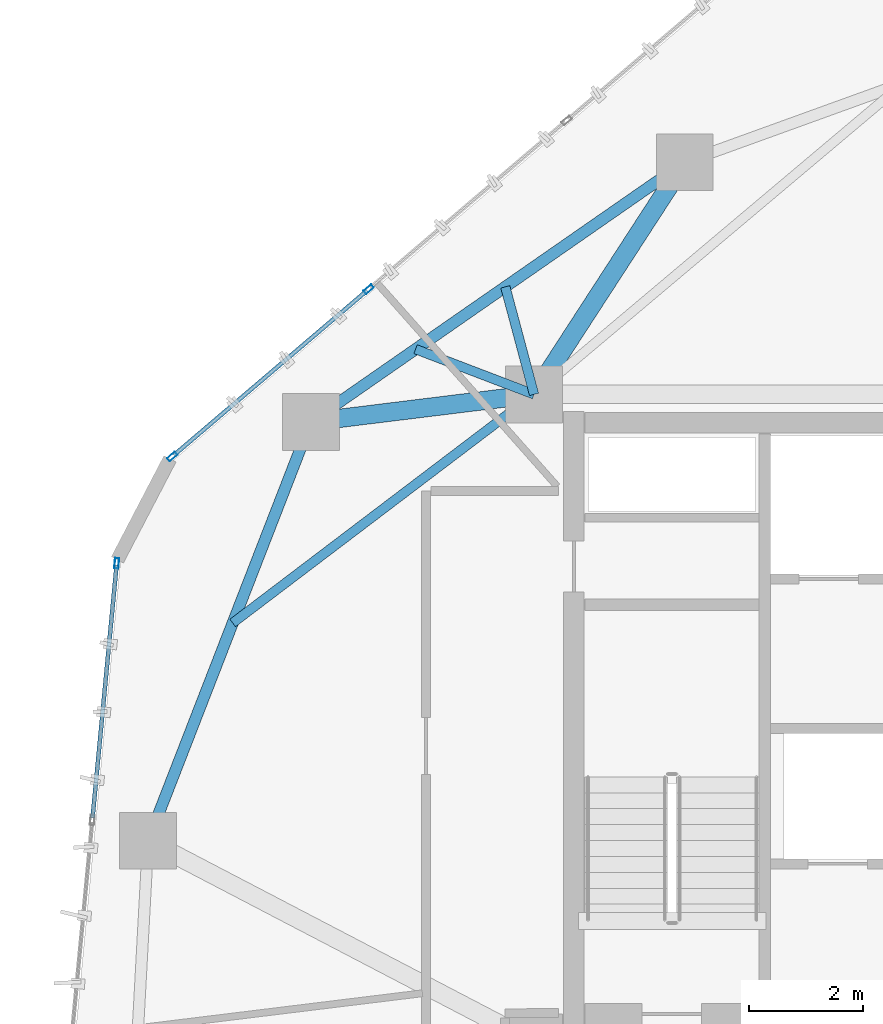
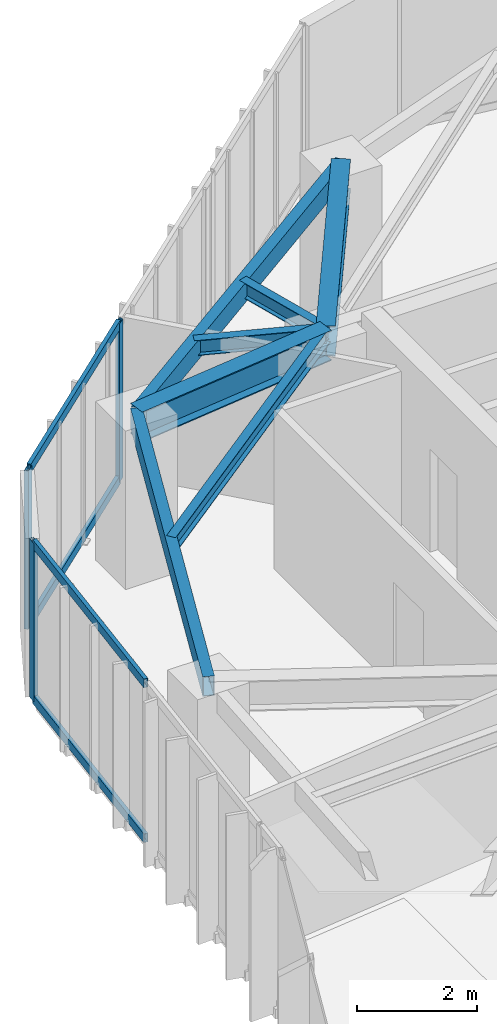
# One storey, part 8 of 20: 7 beams, 7 members, 2 elements without a shape of their own.
"""IFC4 building model written with IfcOpenShell, lengths in metres."""

from ifc_helpers import new_model, si_unit, direction, frame, origin, origin_2d, place, context, subcontext, project, spatial, hollow_rectangle, i_section, extrude, source, transform, mapped, material, layer, layer_set, material_profile, profile_set, type_object, type_shapes, element, aggregate, save


model = new_model("IFC4")

# Units and contexts
model_context = context("Model", 3, precision=1e-05, world=origin(), true_north=direction((0.0, 1.0)))
body_context = subcontext(model_context, "Body", "Model", "MODEL_VIEW")
ifc_project = project(units=[si_unit("LENGTHUNIT", "METRE"), si_unit("AREAUNIT", "SQUARE_METRE"), si_unit("VOLUMEUNIT", "CUBIC_METRE"), si_unit("PLANEANGLEUNIT", "RADIAN"), si_unit("MASSUNIT", "GRAM", prefix="KILO")], contexts=[model_context])

# Site, building, storey
site_placement = place(None, origin())
site = spatial("IfcSite", under=ifc_project, at=site_placement, CompositionType="ELEMENT")
building_placement = place(site_placement, origin())
building = spatial("IfcBuilding", under=site, at=building_placement, Name="Talar Marvaseh", CompositionType="ELEMENT")
storey_placement = place(building_placement, frame((0.0, 0.0, 211.699951171875)))
storey = spatial("IfcBuildingStorey", under=building, at=storey_placement, Name="L55", CompositionType="ELEMENT", Elevation=211.699951171875)

# Beams
ifc_material_1 = material(Name="Steel S355", Category="steel")
ifc_material_profile_1 = material_profile(ifc_material_1, hollow_rectangle(XDim=0.199951171875, YDim=0.39990234375, WallThickness=0.013916015625, at=origin_2d()), Name="RHS400x200x14")
ifc_profile_set_1 = profile_set([ifc_material_profile_1], Name="Steel S355")
beam_type_1 = type_object("IfcBeamType", Name="Zone 3 Perimeter Spandrel Beam RHS400x200x14", PredefinedType="SPANDREL", material=ifc_profile_set_1)
beam_1_placement = place(storey_placement, frame((11.908935546875, 29.044921875, 3.030029296875), z_axis=(0.362169134611, 0.932112395548, 0.0), x_axis=(-0.932112395548, 0.362169134611, 0.0)))
element("IfcBeam", 1, at=beam_1_placement, inside=storey, type_object=beam_type_1, Name="L55 Zone 3 Perimeter Spandrel Beam RHS400x200x14", PredefinedType="SPANDREL", context=body_context, shape_type="SweptSolid", body=[
    extrude(hollow_rectangle(XDim=0.199951171875, YDim=0.39990234375, WallThickness=0.013916015625, at=origin_2d()), origin(), (0.0, 0.0, 1.0), 7.907958984375),
])
beam_2_placement = place(storey_placement, frame((14.77294921875, 36.416015625, 3.030029296875), z_axis=(0.821296978901, 0.570500896098, 0.0), x_axis=(-0.570500896098, 0.821296978901, 0.0)))
element("IfcBeam", 2, at=beam_2_placement, inside=storey, type_object=beam_type_1, Name="L55 Zone 3 Perimeter Spandrel Beam RHS400x200x14", PredefinedType="SPANDREL", context=body_context, shape_type="SweptSolid", body=[
    extrude(hollow_rectangle(XDim=0.199951171875, YDim=0.39990234375, WallThickness=0.013916015625, at=origin_2d()), origin(), (0.0, 0.0, 1.0), 8.0107421875),
])
ifc_material_profile_2 = material_profile(ifc_material_1, i_section(OverallWidth=0.324951171875, OverallDepth=0.615966796875, WebThickness=0.013916015625, FlangeThickness=0.021484375, at=origin_2d()), Name="W610x174")
ifc_profile_set_2 = profile_set([ifc_material_profile_2], Name="Steel S355")
beam_type_2 = type_object("IfcBeamType", Name="Zone 3 Radial Floor Girder W610x174", PredefinedType="BEAM", material=ifc_profile_set_2)
beam_3_placement = place(storey_placement, frame((14.77294921875, 36.416015625, 2.922119140625), z_axis=(0.99249373738, 0.122295467049, 0.0), x_axis=(-0.122295467049, 0.99249373738, 0.0)))
element("IfcBeam", 3, at=beam_3_placement, inside=storey, type_object=beam_type_2, Name="L55 Zone 3 Radial Floor Girder W610x174", PredefinedType="BEAM", context=body_context, shape_type="SweptSolid", body=[
    extrude(i_section(OverallWidth=0.324951171875, OverallDepth=0.615966796875, WebThickness=0.013916015625, FlangeThickness=0.021484375, at=origin_2d()), origin(), (0.0, 0.0, 1.0), 3.956787109375),
])
beam_4_placement = place(storey_placement, frame((21.35205078125, 40.986083984375, 2.922119140625), z_axis=(-0.544422757063, -0.838810980849, 0.0), x_axis=(0.838810980849, -0.544422757063, 0.0)))
element("IfcBeam", 4, at=beam_4_placement, inside=storey, type_object=beam_type_2, Name="L55 Zone 3 Radial Floor Girder W610x174", PredefinedType="BEAM", context=body_context, shape_type="SweptSolid", body=[
    extrude(i_section(OverallWidth=0.324951171875, OverallDepth=0.615966796875, WebThickness=0.013916015625, FlangeThickness=0.021484375, at=origin_2d()), origin(), (0.0, 0.0, 1.0), 4.871337890625),
])
ifc_material_profile_3 = material_profile(ifc_material_1, i_section(OverallWidth=0.166015625, OverallDepth=0.31298828125, WebThickness=0.006591796875, FlangeThickness=0.01123046875, at=origin_2d()), Name="W310x45")
ifc_profile_set_3 = profile_set([ifc_material_profile_3], Name="Steel S355")
beam_type_3 = type_object("IfcBeamType", Name="Zone 3 Secondary Floor Joist W310x45", PredefinedType="JOIST", material=ifc_profile_set_3)
beam_5_placement = place(storey_placement, frame((13.398193359375, 32.8779296875, 3.073486328125), z_axis=(0.796694925744, 0.604381663598, 0.0), x_axis=(-0.604381663598, 0.796694925744, 0.0)))
element("IfcBeam", 5, at=beam_5_placement, inside=storey, type_object=beam_type_3, Name="L55 Zone 3 Secondary Floor Joist W310x45", PredefinedType="JOIST", context=body_context, shape_type="SweptSolid", body=[
    extrude(i_section(OverallWidth=0.166015625, OverallDepth=0.31298828125, WebThickness=0.006591796875, FlangeThickness=0.01123046875, at=origin_2d()), origin(), (0.0, 0.0, 1.0), 6.65478515625),
])
beam_6_placement = place(storey_placement, frame((16.614990234375, 37.695556640625, 3.073486328125), z_axis=(0.934281341688, -0.356536638473, 0.0), x_axis=(0.356536638473, 0.934281341688, 0.0)))
element("IfcBeam", 6, at=beam_6_placement, inside=storey, type_object=beam_type_3, Name="L55 Zone 3 Secondary Floor Joist W310x45", PredefinedType="JOIST", context=body_context, shape_type="SweptSolid", body=[
    extrude(i_section(OverallWidth=0.166015625, OverallDepth=0.31298828125, WebThickness=0.006591796875, FlangeThickness=0.01123046875, at=origin_2d()), origin(), (0.0, 0.0, 1.0), 2.231689453125),
])
beam_7_placement = place(storey_placement, frame((18.194091796875, 38.79248046875, 3.073486328125), z_axis=(0.258221088864, -0.966085849842, 0.0), x_axis=(0.966085849842, 0.258221088864, 0.0)))
element("IfcBeam", 7, at=beam_7_placement, inside=storey, type_object=beam_type_3, Name="L55 Zone 3 Secondary Floor Joist W310x45", PredefinedType="JOIST", context=body_context, shape_type="SweptSolid", body=[
    extrude(i_section(OverallWidth=0.166015625, OverallDepth=0.31298828125, WebThickness=0.006591796875, FlangeThickness=0.01123046875, at=origin_2d()), origin(), (0.0, 0.0, 1.0), 1.958984375),
])

# Curtain wall, member
ifc_material_2 = material(Name="Architectural Aluminium", Category="aluminium")
ifc_layer = layer(ifc_material_2, 0.18994140625)
ifc_layer_set = layer_set([ifc_layer], Name="Architectural Aluminium")
curtain_wall_type = type_object("IfcCurtainWallType", Name="Unitised Solar Atelier Curtain Wall Z3", PredefinedType="NOTDEFINED", material=ifc_layer_set)
curtain_wall_1_placement = place(storey_placement, origin())
curtain_wall_1 = element("IfcCurtainWall", 8, at=curtain_wall_1_placement, inside=storey, type_object=curtain_wall_type, Name="L55 Unitised Solar Atelier Curtain Wall Z3", PredefinedType="NOTDEFINED")
ifc_material_profile_4 = material_profile(ifc_material_2, hollow_rectangle(XDim=0.074951171875, YDim=0.179931640625, WallThickness=0.0048828125, at=origin_2d()), Name="RHS180x75x5")
ifc_profile_set_4 = profile_set([ifc_material_profile_4], Name="Architectural Aluminium")
member_type_1 = type_object("IfcMemberType", Name="Unitised Curtain Wall Standard Mullion RHS180x75x5", PredefinedType="MULLION", material=ifc_profile_set_4)
shared_shape_1 = source(origin(), body_context, "Body", "SweptSolid", [
    extrude(hollow_rectangle(XDim=0.074951171875, YDim=0.179931640625, WallThickness=0.0048828125, at=origin_2d()), origin(), (0.0, 0.0, 1.0), 3.22998046875),
])
type_shapes(member_type_1, [shared_shape_1])
member_1_placement = place(storey_placement, frame((11.357421875, 33.9287109375, 0.0), z_axis=(0.0, 0.0, 1.0), x_axis=(-0.995508620386, 0.094670939239, 0.0)))
member_1 = element("IfcMember", 9, at=member_1_placement, type_object=member_type_1, Name="CW-Z3 mullion 4", PredefinedType="MULLION", context=body_context, shape_type="MappedRepresentation", body=[
    mapped(shared_shape_1, transform((0.0, 0.0, 0.0), x_axis=(1.0, 0.0, 0.0), y_axis=(0.0, 1.0, 0.0), z_axis=(0.0, 0.0, 1.0), scale=1.0)),
])

# Curtain wall, members
curtain_wall_2_placement = place(storey_placement, origin())
curtain_wall_2 = element("IfcCurtainWall", 10, at=curtain_wall_2_placement, inside=storey, type_object=curtain_wall_type, Name="L55 Unitised Solar Atelier Curtain Wall Z3", PredefinedType="NOTDEFINED")
member_2_placement = place(storey_placement, frame((12.335205078125, 35.80712890625, 0.0), z_axis=(0.0, 0.0, 1.0), x_axis=(-0.648545540162, 0.761175855066, 0.0)))
member_2 = element("IfcMember", 11, at=member_2_placement, type_object=member_type_1, Name="CW-Z3 mullion 1", PredefinedType="MULLION", context=body_context, shape_type="MappedRepresentation", body=[
    mapped(shared_shape_1, transform((0.0, 0.0, 0.0), x_axis=(1.0, 0.0, 0.0), y_axis=(0.0, 1.0, 0.0), z_axis=(0.0, 0.0, 1.0), scale=1.0)),
])
member_3_placement = place(storey_placement, frame((15.790771484375, 38.75146484375, 0.0), z_axis=(0.0, 0.0, 1.0), x_axis=(-0.648545540162, 0.761175855066, 0.0)))
member_3 = element("IfcMember", 12, at=member_3_placement, type_object=member_type_1, Name="CW-Z3 mullion 2", PredefinedType="MULLION", context=body_context, shape_type="MappedRepresentation", body=[
    mapped(shared_shape_1, transform((0.0, 0.0, 0.0), x_axis=(1.0, 0.0, 0.0), y_axis=(0.0, 1.0, 0.0), z_axis=(0.0, 0.0, 1.0), scale=1.0)),
])

# Member
ifc_material_profile_5 = material_profile(ifc_material_2, hollow_rectangle(XDim=0.074951171875, YDim=0.179931640625, WallThickness=0.0048828125, at=origin_2d()), Name="RHS180x75x5")
ifc_profile_set_5 = profile_set([ifc_material_profile_5], Name="Architectural Aluminium")
member_type_2 = type_object("IfcMemberType", Name="Unitised Curtain Wall Transom RHS180x75x5", PredefinedType="USERDEFINED", material=ifc_profile_set_5)
shared_shape_2 = source(origin(), body_context, "Body", "SweptSolid", [
    extrude(hollow_rectangle(XDim=0.074951171875, YDim=0.179931640625, WallThickness=0.0048828125, at=origin_2d()), origin(), (0.0, 0.0, 1.0), 4.464599609375),
])
type_shapes(member_type_2, [shared_shape_2])
member_4_placement = place(storey_placement, frame((10.93115234375, 29.44677734375, 0.03759765625), z_axis=(0.094711031339, 0.995504806891, 0.0), x_axis=(-0.995504806891, 0.094711031339, 0.0)))
member_4 = element("IfcMember", 13, at=member_4_placement, type_object=member_type_2, Name="CW-Z3 transom 3.1", ObjectType="TRANSOM", PredefinedType="USERDEFINED", context=body_context, shape_type="MappedRepresentation", body=[
    mapped(shared_shape_2, transform((0.0, 0.0, 0.0), x_axis=(1.0, 0.0, 0.0), y_axis=(0.0, 1.0, 0.0), z_axis=(0.0, 0.0, 1.0), scale=1.0)),
])

member_5_placement = place(storey_placement, frame((10.93115234375, 29.44677734375, 3.192626953125), z_axis=(0.094711031339, 0.995504806891, 0.0), x_axis=(-0.995504806891, 0.094711031339, 0.0)))
member_5 = element("IfcMember", 14, at=member_5_placement, type_object=member_type_2, Name="CW-Z3 transom 3.2", ObjectType="TRANSOM", PredefinedType="USERDEFINED", context=body_context, shape_type="MappedRepresentation", body=[
    mapped(shared_shape_2, transform((0.0, 0.0, 0.0), x_axis=(1.0, 0.0, 0.0), y_axis=(0.0, 1.0, 0.0), z_axis=(0.0, 0.0, 1.0), scale=1.0)),
])

aggregate(curtain_wall_1, [member_1, member_4, member_5])

member_6_placement = place(storey_placement, frame((12.36376953125, 35.83154296875, 0.03759765625), z_axis=(0.761183241433, 0.648536870934, 0.0), x_axis=(-0.648536870934, 0.761183241433, 0.0)))
member_6 = element("IfcMember", 15, at=member_6_placement, type_object=member_type_2, Name="CW-Z3 transom 1.1", ObjectType="TRANSOM", PredefinedType="USERDEFINED", context=body_context, shape_type="MappedRepresentation", body=[
    mapped(shared_shape_2, transform((0.0, 0.0, 0.0), x_axis=(1.0, 0.0, 0.0), y_axis=(0.0, 1.0, 0.0), z_axis=(0.0, 0.0, 1.0), scale=1.0)),
])

member_7_placement = place(storey_placement, frame((12.36376953125, 35.83154296875, 3.192626953125), z_axis=(0.761183241433, 0.648536870934, 0.0), x_axis=(-0.648536870934, 0.761183241433, 0.0)))
member_7 = element("IfcMember", 16, at=member_7_placement, type_object=member_type_2, Name="CW-Z3 transom 1.2", ObjectType="TRANSOM", PredefinedType="USERDEFINED", context=body_context, shape_type="MappedRepresentation", body=[
    mapped(shared_shape_2, transform((0.0, 0.0, 0.0), x_axis=(1.0, 0.0, 0.0), y_axis=(0.0, 1.0, 0.0), z_axis=(0.0, 0.0, 1.0), scale=1.0)),
])

aggregate(curtain_wall_2, [member_2, member_3, member_6, member_7])

save(model, "model.ifc")
